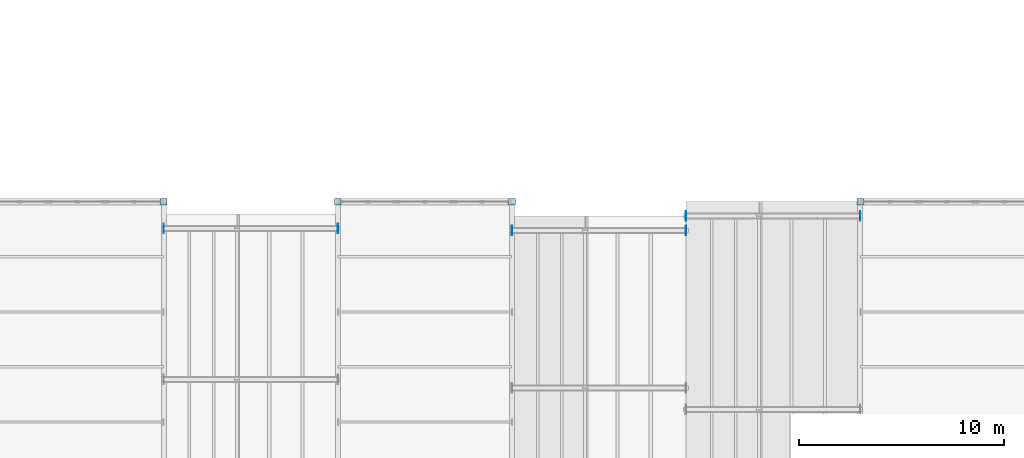
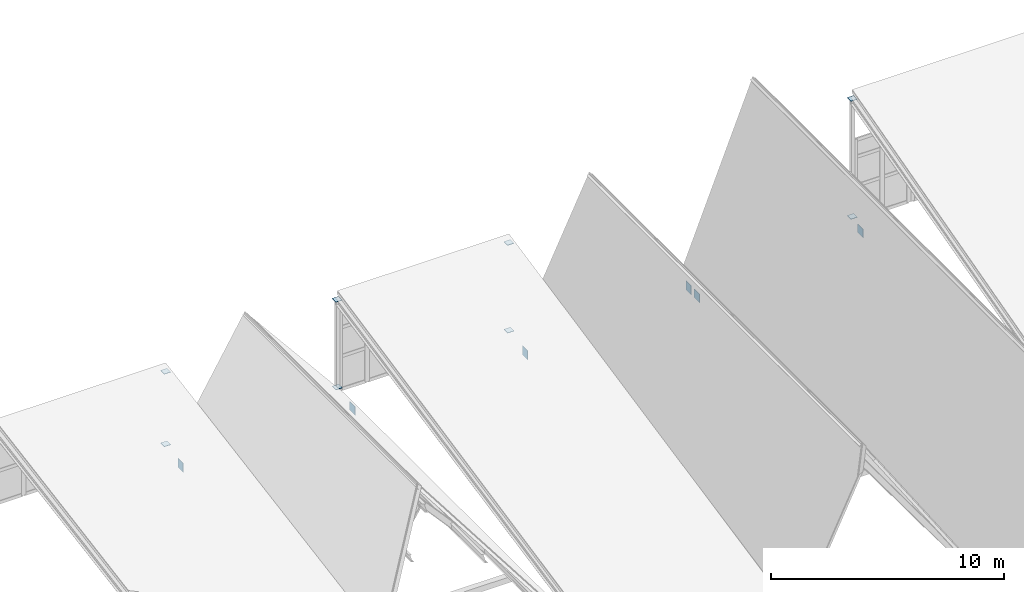
# One storey, part 67 of 77: 14 plates.
"""IFC4 building model written with IfcOpenShell, lengths in metres."""

from ifc_helpers import new_model, si_unit, direction, frame, origin, origin_2d, place, context, subcontext, project, spatial, rectangle, extrude, material, material_profile, profile_set, type_object, element, save


model = new_model("IFC4")

# Units and contexts
model_context = context("Model", 3, precision=1e-05, world=origin(), true_north=direction((0.0, 1.0)))
body_context = subcontext(model_context, "Body", "Model", "MODEL_VIEW")
ifc_project = project(units=[si_unit("LENGTHUNIT", "METRE"), si_unit("AREAUNIT", "SQUARE_METRE"), si_unit("VOLUMEUNIT", "CUBIC_METRE"), si_unit("PLANEANGLEUNIT", "RADIAN"), si_unit("MASSUNIT", "GRAM", prefix="KILO"), si_unit("THERMODYNAMICTEMPERATUREUNIT", "KELVIN"), si_unit("POWERUNIT", "WATT")], contexts=[model_context])

# Site, building, storey
site_placement = place(None, origin())
site = spatial("IfcSite", under=ifc_project, at=site_placement, CompositionType="ELEMENT")
building_placement = place(site_placement, origin())
building = spatial("IfcBuilding", under=site, at=building_placement, Name="Zhenchuan Central Fire Station", CompositionType="ELEMENT")
storey_placement = place(building_placement, frame((0.0, 0.0, 10.050048828125)))
storey = spatial("IfcBuildingStorey", under=building, at=storey_placement, Name="L03", CompositionType="ELEMENT", Elevation=10.050048828125)

# Plates
ifc_material = material(Name="Steel Q355B", Category="steel")
ifc_material_profile_1 = material_profile(ifc_material, rectangle(XDim=0.320068359375, YDim=0.320068359375, at=origin_2d()), Name="PL 320x320x20")
ifc_profile_set_1 = profile_set([ifc_material_profile_1], Name="Steel Q355B")
plate_type_1 = type_object("IfcPlateType", Name="PL-CAP20", PredefinedType="SHEET", material=ifc_profile_set_1)
for number, where, z_axis, x_axis, name in (
    (1, (64.5, 35.5, -0.01611328125), (0.0, 0.0, 1.0), (1.0, 0.0, 0.0), "Pavilion H01 North-Light Truss Post 2 end cap plate A"),
    (2, (64.5, 35.5, 3.78125), (0.0, 0.0, 1.0), (1.0, 0.0, 0.0), "Pavilion H01 North-Light Truss Post 2 end cap plate B"),
    (3, (73.0, 35.5, -0.01611328125), (0.0, 0.0, 1.0), (1.0, 0.0, 0.0), "Pavilion H03 North-Light Truss Post 1 end cap plate A"),
    (4, (73.0, 35.5, 4.575927734375), (0.0, 0.0, 1.0), (1.0, 0.0, 0.0), "Pavilion H03 North-Light Truss Post 1 end cap plate B"),
    (5, (81.5, 35.5, -0.01611328125), (0.0, 0.0, 1.0), (1.0, 0.0, 0.0), "Pavilion H03 North-Light Truss Post 2 end cap plate A"),
    (6, (81.5, 35.5, 4.575927734375), (0.0, 0.0, 1.0), (1.0, 0.0, 0.0), "Pavilion H03 North-Light Truss Post 2 end cap plate B"),
    (7, (98.5, 35.5, -0.01611328125), (0.0, 0.0, 1.0), (1.0, 0.0, 0.0), "Pavilion H06 North-Light Truss Post 1 end cap plate A"),
    (8, (98.5, 35.5, 6.1650390625), (0.0, 0.0, 1.0), (1.0, 0.0, 0.0), "Pavilion H06 North-Light Truss Post 1 end cap plate B"),
):
    element("IfcPlate", number, at=place(storey_placement, frame(where, z_axis=z_axis, x_axis=x_axis)), inside=storey, type_object=plate_type_1, Name=name, PredefinedType="SHEET", context=body_context, shape_type="SweptSolid", body=[
        extrude(rectangle(XDim=0.320068359375, YDim=0.320068359375, at=origin_2d()), origin(), (0.0, 0.0, 1.0), 0.02001953125),
    ])
ifc_material_profile_2 = material_profile(ifc_material, rectangle(XDim=0.4599609375, YDim=0.4599609375, at=origin_2d()), Name="PL 460x460x28")
ifc_profile_set_2 = profile_set([ifc_material_profile_2], Name="Steel Q355B")
plate_type_2 = type_object("IfcPlateType", Name="PL-GUS28-INT", PredefinedType="SHEET", material=ifc_profile_set_2)
for number, where, z_axis, x_axis, name in (
    (9, (64.48388671875, 34.199951171875, -0.330078125), (1.0, 0.0, 0.0), (0.0, 1.0, 0.0), "Pavilion H02 Gable Bottom Chord 4 end cap plate A"),
    (10, (72.99609375, 34.199951171875, -0.330078125), (1.0, 0.0, 0.0), (0.0, 1.0, 0.0), "Pavilion H02 Gable Bottom Chord 4 end cap plate B"),
    (11, (81.48388671875, 34.10009765625, -0.330078125), (1.0, 0.0, 0.0), (0.0, 1.0, 0.0), "Pavilion H04 Gable Bottom Chord 4 end cap plate A"),
    (12, (89.99609375, 34.10009765625, -0.330078125), (1.0, 0.0, 0.0), (0.0, 1.0, 0.0), "Pavilion H04 Gable Bottom Chord 4 end cap plate B"),
    (13, (89.98388671875, 34.800048828125, -0.330078125), (1.0, 0.0, 0.0), (0.0, 1.0, 0.0), "Pavilion H05 Gable Bottom Chord 4 end cap plate A"),
    (14, (98.49609375, 34.800048828125, -0.330078125), (1.0, 0.0, 0.0), (0.0, 1.0, 0.0), "Pavilion H05 Gable Bottom Chord 4 end cap plate B"),
):
    element("IfcPlate", number, at=place(storey_placement, frame(where, z_axis=z_axis, x_axis=x_axis)), inside=storey, type_object=plate_type_2, Name=name, PredefinedType="SHEET", context=body_context, shape_type="SweptSolid", body=[
        extrude(rectangle(XDim=0.4599609375, YDim=0.4599609375, at=origin_2d()), origin(), (0.0, 0.0, 1.0), 0.02001953125),
    ])

save(model, "model.ifc")
